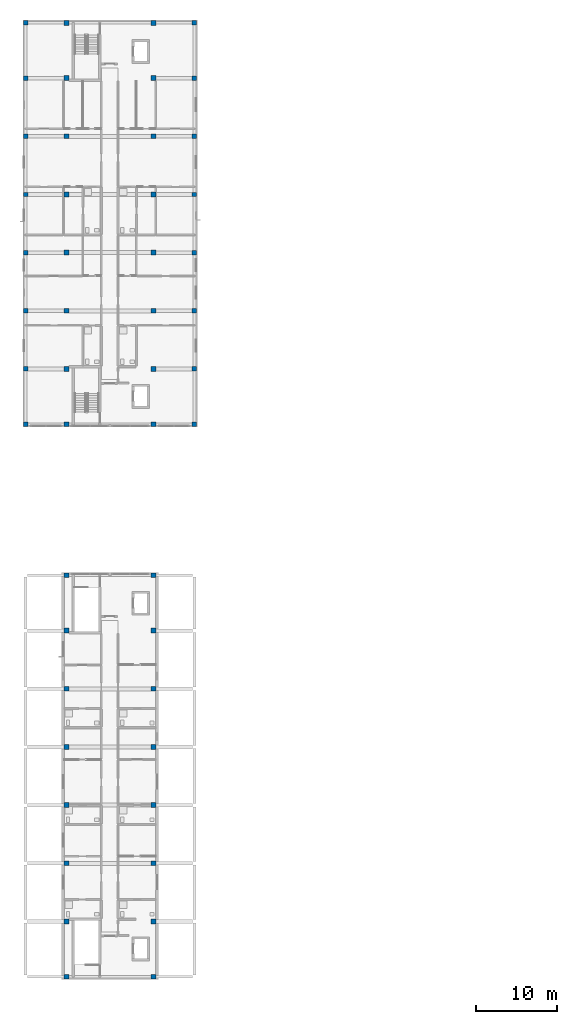
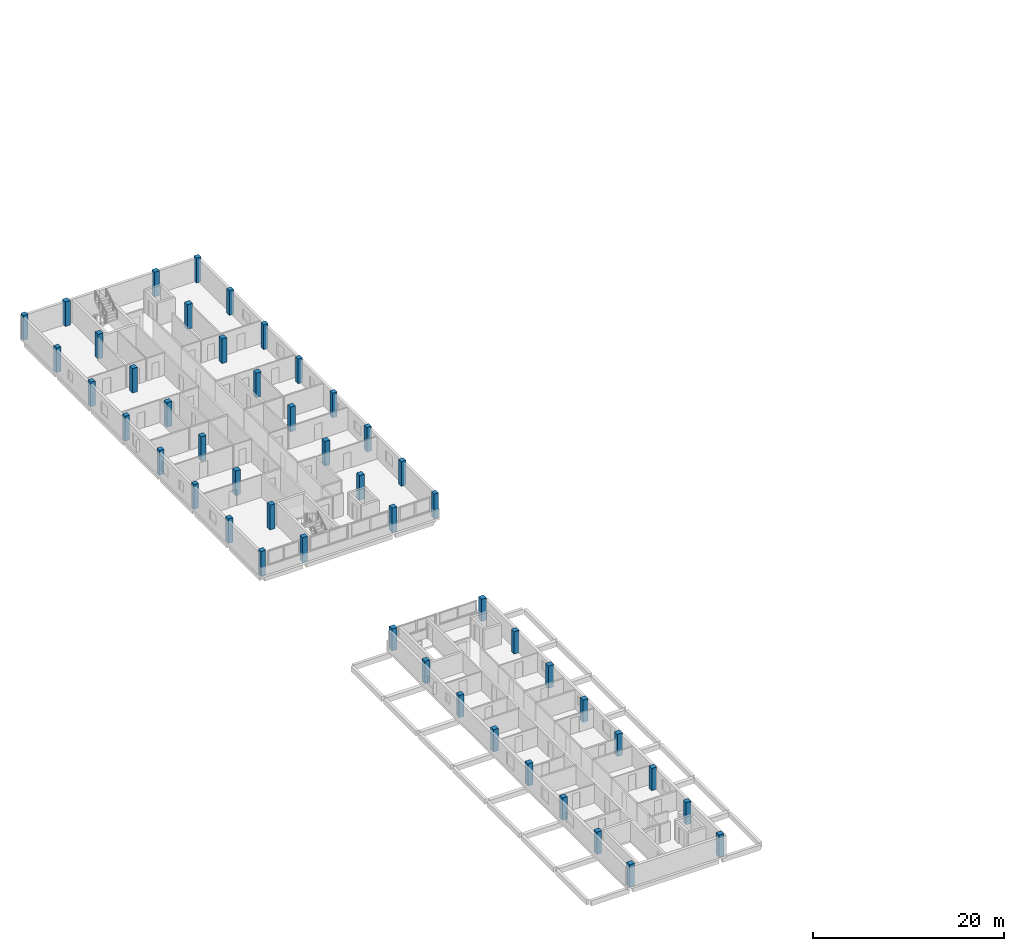
# One storey, part 1 of 34: 48 columns.
"""IFC4 building model written with IfcOpenShell, lengths in metres."""

from ifc_helpers import new_model, si_unit, derived_unit, direction, frame, origin, origin_2d, place, context, subcontext, project, spatial, rectangle, extrude, material, material_profile, profile_set, type_object, element, save


model = new_model("IFC4")

# Units and contexts
model_context = context("Model", 3, precision=1e-05, world=origin(), true_north=direction((0.0, 1.0)))
body_context = subcontext(model_context, "Body", "Model", "MODEL_VIEW")
ifc_project = project(units=[si_unit("LENGTHUNIT", "METRE"), si_unit("AREAUNIT", "SQUARE_METRE"), si_unit("VOLUMEUNIT", "CUBIC_METRE"), si_unit("PLANEANGLEUNIT", "RADIAN"), si_unit("MASSUNIT", "GRAM", prefix="KILO"), derived_unit("THERMALTRANSMITTANCEUNIT", [(si_unit("MASSUNIT", "GRAM", prefix="KILO"), 1), (si_unit("TIMEUNIT", "SECOND"), -3), (si_unit("THERMODYNAMICTEMPERATUREUNIT", "KELVIN"), -1)])], contexts=[model_context])

# Site, building, storey
site_placement = place(None, origin())
site = spatial("IfcSite", under=ifc_project, at=site_placement, CompositionType="ELEMENT")
building_placement = place(site_placement, origin())
building = spatial("IfcBuilding", under=site, at=building_placement, Name="Ochrekiln Boulevard Commons", CompositionType="ELEMENT")
storey_placement = place(building_placement, frame((0.0, 0.0, 27.824951171875)))
storey = spatial("IfcBuildingStorey", under=building, at=storey_placement, Name="L08", CompositionType="ELEMENT", Elevation=27.824951171875)

# Columns
ifc_material_1 = material(Name="Concrete C35/45", Category="concrete")
ifc_material_profile_1 = material_profile(ifc_material_1, rectangle(XDim=0.550048828125, YDim=0.550048828125, at=origin_2d()), Name="RC-COL-550x550")
ifc_profile_set_1 = profile_set([ifc_material_profile_1], Name="Concrete C35/45")
column_type_1 = type_object("IfcColumnType", Name="COL-RC-550", PredefinedType="COLUMN", material=ifc_profile_set_1)
for number, where, z_axis, x_axis, name in (
    (1, (0.35009765625, 68.75, 0.0), (0.0, 0.0, 1.0), (1.0, 0.0, 0.0), "Block A L08 Column C-550 (1)"),
    (2, (0.35009765625, 75.60009765625, 0.0), (0.0, 0.0, 1.0), (1.0, 0.0, 0.0), "Block A L08 Column C-550 (2)"),
    (3, (0.35009765625, 82.800048828125, 0.0), (0.0, 0.0, 1.0), (1.0, 0.0, 0.0), "Block A L08 Column C-550 (3)"),
    (4, (0.35009765625, 90.0, 0.0), (0.0, 0.0, 1.0), (1.0, 0.0, 0.0), "Block A L08 Column C-550 (4)"),
    (5, (0.35009765625, 97.199951171875, 0.0), (0.0, 0.0, 1.0), (1.0, 0.0, 0.0), "Block A L08 Column C-550 (5)"),
    (6, (0.35009765625, 104.39990234375, 0.0), (0.0, 0.0, 1.0), (1.0, 0.0, 0.0), "Block A L08 Column C-550 (6)"),
    (7, (0.35009765625, 111.60009765625, 0.0), (0.0, 0.0, 1.0), (1.0, 0.0, 0.0), "Block A L08 Column C-550 (7)"),
    (8, (0.35009765625, 118.449951171875, 0.0), (0.0, 0.0, 1.0), (1.0, 0.0, 0.0), "Block A L08 Column C-550 (8)"),
    (9, (21.25, 68.75, 0.0), (0.0, 0.0, 1.0), (1.0, 0.0, 0.0), "Block A L08 Column C-550 (25)"),
    (10, (21.25, 75.60009765625, 0.0), (0.0, 0.0, 1.0), (1.0, 0.0, 0.0), "Block A L08 Column C-550 (26)"),
    (11, (21.25, 82.800048828125, 0.0), (0.0, 0.0, 1.0), (1.0, 0.0, 0.0), "Block A L08 Column C-550 (27)"),
    (12, (21.25, 90.0, 0.0), (0.0, 0.0, 1.0), (1.0, 0.0, 0.0), "Block A L08 Column C-550 (28)"),
    (13, (21.25, 97.199951171875, 0.0), (0.0, 0.0, 1.0), (1.0, 0.0, 0.0), "Block A L08 Column C-550 (29)"),
    (14, (21.25, 104.39990234375, 0.0), (0.0, 0.0, 1.0), (1.0, 0.0, 0.0), "Block A L08 Column C-550 (30)"),
    (15, (21.25, 111.60009765625, 0.0), (0.0, 0.0, 1.0), (1.0, 0.0, 0.0), "Block A L08 Column C-550 (31)"),
    (16, (21.25, 118.449951171875, 0.0), (0.0, 0.0, 1.0), (1.0, 0.0, 0.0), "Block A L08 Column C-550 (32)"),
):
    element("IfcColumn", number, at=place(storey_placement, frame(where, z_axis=z_axis, x_axis=x_axis)), inside=storey, type_object=column_type_1, Name=name, PredefinedType="COLUMN", context=body_context, shape_type="SweptSolid", body=[
        extrude(rectangle(XDim=0.550048828125, YDim=0.550048828125, at=origin_2d()), origin(), (0.0, 0.0, 1.0), 3.150146484375),
    ])
ifc_material_2 = material(Name="Concrete C40/50", Category="concrete")
ifc_material_profile_2 = material_profile(ifc_material_2, rectangle(XDim=0.60009765625, YDim=0.60009765625, at=origin_2d()), Name="RC-COL-600x600")
ifc_profile_set_2 = profile_set([ifc_material_profile_2], Name="Concrete C40/50")
column_type_2 = type_object("IfcColumnType", Name="COL-RC-600", PredefinedType="COLUMN", material=ifc_profile_set_2)
for number, where, z_axis, x_axis, name in (
    (17, (5.39990234375, 68.75, 0.0), (0.0, 0.0, 1.0), (1.0, 0.0, 0.0), "Block A L08 Column C-600 (9)"),
    (18, (5.39990234375, 75.60009765625, 0.0), (0.0, 0.0, 1.0), (1.0, 0.0, 0.0), "Block A L08 Column C-600 (10)"),
    (19, (5.39990234375, 82.800048828125, 0.0), (0.0, 0.0, 1.0), (1.0, 0.0, 0.0), "Block A L08 Column C-600 (11)"),
    (20, (5.39990234375, 90.0, 0.0), (0.0, 0.0, 1.0), (1.0, 0.0, 0.0), "Block A L08 Column C-600 (12)"),
    (21, (5.39990234375, 97.199951171875, 0.0), (0.0, 0.0, 1.0), (1.0, 0.0, 0.0), "Block A L08 Column C-600 (13)"),
    (22, (5.39990234375, 104.39990234375, 0.0), (0.0, 0.0, 1.0), (1.0, 0.0, 0.0), "Block A L08 Column C-600 (14)"),
    (23, (5.39990234375, 111.60009765625, 0.0), (0.0, 0.0, 1.0), (1.0, 0.0, 0.0), "Block A L08 Column C-600 (15)"),
    (24, (5.39990234375, 118.449951171875, 0.0), (0.0, 0.0, 1.0), (1.0, 0.0, 0.0), "Block A L08 Column C-600 (16)"),
    (25, (16.199951171875, 68.75, 0.0), (0.0, 0.0, 1.0), (1.0, 0.0, 0.0), "Block A L08 Column C-600 (17)"),
    (26, (16.199951171875, 75.60009765625, 0.0), (0.0, 0.0, 1.0), (1.0, 0.0, 0.0), "Block A L08 Column C-600 (18)"),
    (27, (16.199951171875, 82.800048828125, 0.0), (0.0, 0.0, 1.0), (1.0, 0.0, 0.0), "Block A L08 Column C-600 (19)"),
    (28, (16.199951171875, 90.0, 0.0), (0.0, 0.0, 1.0), (1.0, 0.0, 0.0), "Block A L08 Column C-600 (20)"),
    (29, (16.199951171875, 97.199951171875, 0.0), (0.0, 0.0, 1.0), (1.0, 0.0, 0.0), "Block A L08 Column C-600 (21)"),
    (30, (16.199951171875, 104.39990234375, 0.0), (0.0, 0.0, 1.0), (1.0, 0.0, 0.0), "Block A L08 Column C-600 (22)"),
    (31, (16.199951171875, 111.60009765625, 0.0), (0.0, 0.0, 1.0), (1.0, 0.0, 0.0), "Block A L08 Column C-600 (23)"),
    (32, (16.199951171875, 118.449951171875, 0.0), (0.0, 0.0, 1.0), (1.0, 0.0, 0.0), "Block A L08 Column C-600 (24)"),
):
    element("IfcColumn", number, at=place(storey_placement, frame(where, z_axis=z_axis, x_axis=x_axis)), inside=storey, type_object=column_type_2, Name=name, PredefinedType="COLUMN", context=body_context, shape_type="SweptSolid", body=[
        extrude(rectangle(XDim=0.60009765625, YDim=0.60009765625, at=origin_2d()), origin(), (0.0, 0.0, 1.0), 3.150146484375),
    ])
for number, where, z_axis, x_axis, name in (
    (33, (5.39990234375, 0.35009765625, 0.0), (0.0, 0.0, 1.0), (1.0, 0.0, 0.0), "Block D L08 Column C-600 (9)"),
    (34, (5.39990234375, 7.199951171875, 0.0), (0.0, 0.0, 1.0), (1.0, 0.0, 0.0), "Block D L08 Column C-600 (10)"),
    (35, (5.39990234375, 14.39990234375, 0.0), (0.0, 0.0, 1.0), (1.0, 0.0, 0.0), "Block D L08 Column C-600 (11)"),
    (36, (5.39990234375, 21.60009765625, 0.0), (0.0, 0.0, 1.0), (1.0, 0.0, 0.0), "Block D L08 Column C-600 (12)"),
    (37, (5.39990234375, 28.800048828125, 0.0), (0.0, 0.0, 1.0), (1.0, 0.0, 0.0), "Block D L08 Column C-600 (13)"),
    (38, (5.39990234375, 36.0, 0.0), (0.0, 0.0, 1.0), (1.0, 0.0, 0.0), "Block D L08 Column C-600 (14)"),
    (39, (5.39990234375, 43.199951171875, 0.0), (0.0, 0.0, 1.0), (1.0, 0.0, 0.0), "Block D L08 Column C-600 (15)"),
    (40, (5.39990234375, 50.050048828125, 0.0), (0.0, 0.0, 1.0), (1.0, 0.0, 0.0), "Block D L08 Column C-600 (16)"),
    (41, (16.199951171875, 0.35009765625, 0.0), (0.0, 0.0, 1.0), (1.0, 0.0, 0.0), "Block D L08 Column C-600 (17)"),
    (42, (16.199951171875, 7.199951171875, 0.0), (0.0, 0.0, 1.0), (1.0, 0.0, 0.0), "Block D L08 Column C-600 (18)"),
    (43, (16.199951171875, 14.39990234375, 0.0), (0.0, 0.0, 1.0), (1.0, 0.0, 0.0), "Block D L08 Column C-600 (19)"),
    (44, (16.199951171875, 21.60009765625, 0.0), (0.0, 0.0, 1.0), (1.0, 0.0, 0.0), "Block D L08 Column C-600 (20)"),
    (45, (16.199951171875, 28.800048828125, 0.0), (0.0, 0.0, 1.0), (1.0, 0.0, 0.0), "Block D L08 Column C-600 (21)"),
    (46, (16.199951171875, 36.0, 0.0), (0.0, 0.0, 1.0), (1.0, 0.0, 0.0), "Block D L08 Column C-600 (22)"),
    (47, (16.199951171875, 43.199951171875, 0.0), (0.0, 0.0, 1.0), (1.0, 0.0, 0.0), "Block D L08 Column C-600 (23)"),
    (48, (16.199951171875, 50.050048828125, 0.0), (0.0, 0.0, 1.0), (1.0, 0.0, 0.0), "Block D L08 Column C-600 (24)"),
):
    element("IfcColumn", number, at=place(storey_placement, frame(where, z_axis=z_axis, x_axis=x_axis)), inside=storey, type_object=column_type_2, Name=name, PredefinedType="COLUMN", context=body_context, shape_type="SweptSolid", body=[
        extrude(rectangle(XDim=0.60009765625, YDim=0.60009765625, at=origin_2d()), origin(), (0.0, 0.0, 1.0), 2.85009765625),
    ])

save(model, "model.ifc")
